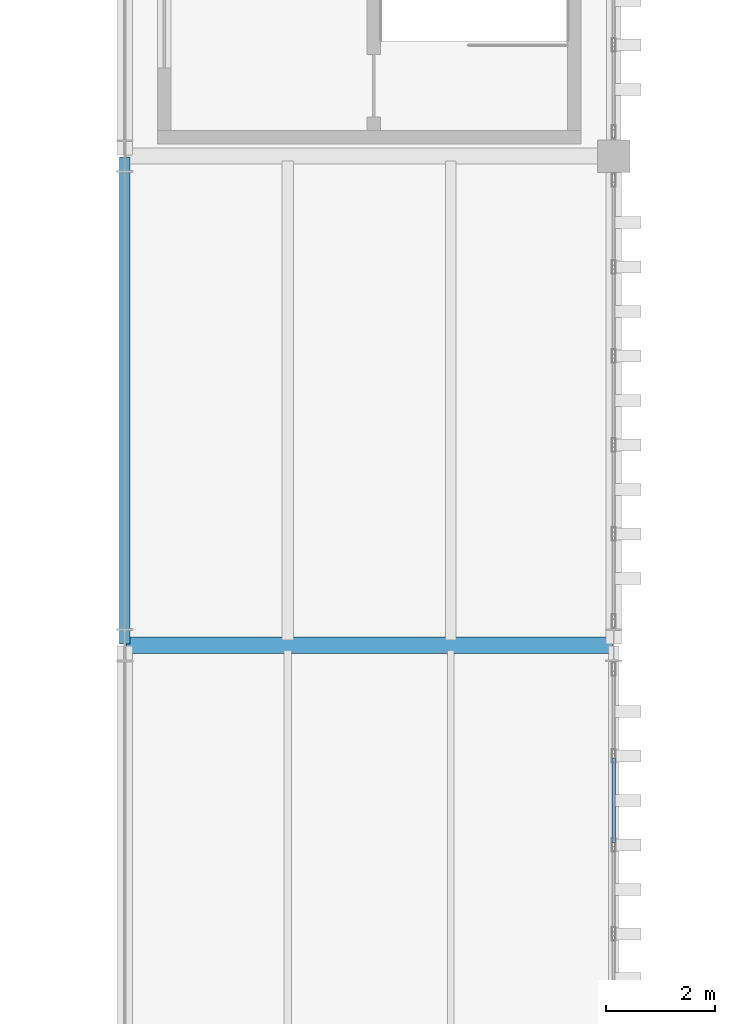
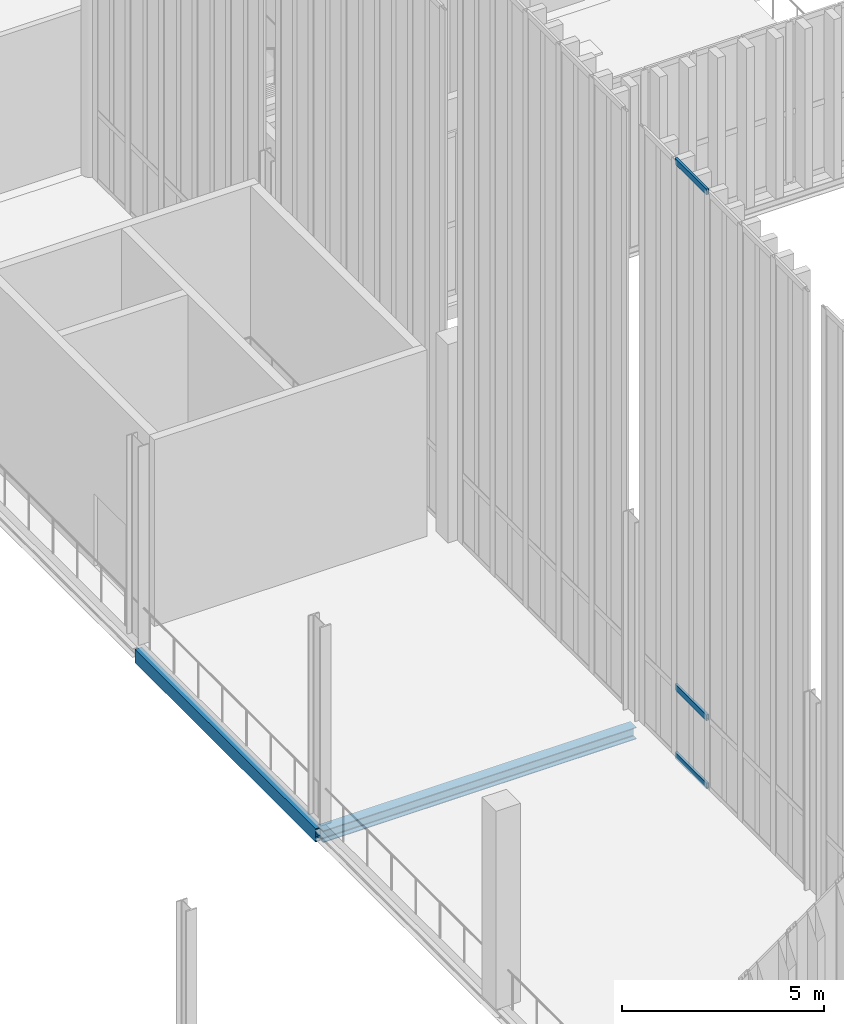
# One storey, part 54 of 237: 3 members, 2 beams, 1 element without a shape of its own.
"""IFC4 building model written with IfcOpenShell, lengths in metres."""

from ifc_helpers import new_model, si_unit, direction, frame, origin, origin_2d, place, context, subcontext, project, spatial, hollow_rectangle, i_section, extrude, material, layer, layer_set, material_profile, profile_set, type_object, element, aggregate, save


model = new_model("IFC4")

# Units and contexts
model_context = context("Model", 3, precision=1e-05, world=origin(), true_north=direction((0.0, 1.0)))
body_context = subcontext(model_context, "Body", "Model", "MODEL_VIEW")
ifc_project = project(units=[si_unit("LENGTHUNIT", "METRE"), si_unit("AREAUNIT", "SQUARE_METRE"), si_unit("VOLUMEUNIT", "CUBIC_METRE"), si_unit("PLANEANGLEUNIT", "RADIAN"), si_unit("MASSUNIT", "GRAM", prefix="KILO")], contexts=[model_context])

# Site, building, storey
site_placement = place(None, origin())
site = spatial("IfcSite", under=ifc_project, at=site_placement, CompositionType="ELEMENT")
building_placement = place(site_placement, origin())
building = spatial("IfcBuilding", under=site, at=building_placement, Name="Barlavento Convention Centre", CompositionType="ELEMENT")
storey_placement = place(building_placement, frame((0.0, 0.0, 12.0)))
storey = spatial("IfcBuildingStorey", under=building, at=storey_placement, Name="L02", CompositionType="ELEMENT", Elevation=12.0)

# Curtain wall, members
ifc_material_1 = material(Name="Powder-coated aluminium and Low-E glass", Category="aluminium")
ifc_layer = layer(ifc_material_1, 0.18994140625)
ifc_layer_set = layer_set([ifc_layer], Name="ARC-CW-CONG-L02")
curtain_wall_type = type_object("IfcCurtainWallType", Name="ARC-CW-CONG-L02", PredefinedType="NOTDEFINED", material=ifc_layer_set)
curtain_wall_placement = place(storey_placement, origin())
curtain_wall = element("IfcCurtainWall", 1, at=curtain_wall_placement, inside=storey, type_object=curtain_wall_type, Name="L02 unitised curtain wall CW02", PredefinedType="NOTDEFINED")
ifc_material_2 = material(Name="Powder-coated aluminium", Category="aluminium")
ifc_material_profile_1 = material_profile(ifc_material_2, hollow_rectangle(XDim=0.070068359375, YDim=0.179931640625, WallThickness=0.0048828125, at=origin_2d()), Name="AL-TRAN 70x180x5")
ifc_profile_set_1 = profile_set([ifc_material_profile_1], Name="Powder-coated aluminium")
member_type = type_object("IfcMemberType", Name="ARC-CWT-70X180", PredefinedType="USERDEFINED", material=ifc_profile_set_1)
member_1_placement = place(storey_placement, frame((63.0, 23.360595703125, 0.034912109375), z_axis=(0.0, 1.0, 0.0), x_axis=(-1.0, 0.0, 0.0)))
member_1 = element("IfcMember", 2, at=member_1_placement, type_object=member_type, Name="CW02 transom 4.1", ObjectType="TRANSOM", PredefinedType="USERDEFINED", context=body_context, shape_type="SweptSolid", body=[
    extrude(hollow_rectangle(XDim=0.070068359375, YDim=0.179931640625, WallThickness=0.0048828125, at=origin_2d()), origin(), (0.0, 0.0, 1.0), 1.560791015625),
])
member_2_placement = place(storey_placement, frame((63.0, 23.360595703125, 2.10009765625), z_axis=(0.0, 1.0, 0.0), x_axis=(-1.0, 0.0, 0.0)))
member_2 = element("IfcMember", 3, at=member_2_placement, type_object=member_type, Name="CW02 transom 4.2", ObjectType="TRANSOM", PredefinedType="USERDEFINED", context=body_context, shape_type="SweptSolid", body=[
    extrude(hollow_rectangle(XDim=0.070068359375, YDim=0.179931640625, WallThickness=0.0048828125, at=origin_2d()), origin(), (0.0, 0.0, 1.0), 1.560791015625),
])
member_3_placement = place(storey_placement, frame((63.0, 23.360595703125, 18.001953125), z_axis=(0.0, 1.0, 0.0), x_axis=(-1.0, 0.0, 0.0)))
member_3 = element("IfcMember", 4, at=member_3_placement, type_object=member_type, Name="CW02 transom 4.3", ObjectType="TRANSOM", PredefinedType="USERDEFINED", context=body_context, shape_type="SweptSolid", body=[
    extrude(hollow_rectangle(XDim=0.070068359375, YDim=0.179931640625, WallThickness=0.0048828125, at=origin_2d()), origin(), (0.0, 0.0, 1.0), 1.560791015625),
])
aggregate(curtain_wall, [member_1, member_2, member_3])

# Beams
ifc_material_3 = material(Name="Steel S355", Category="steel")
ifc_material_profile_2 = material_profile(ifc_material_3, i_section(OverallWidth=0.300048828125, OverallDepth=0.360107421875, WebThickness=0.012451171875, FlangeThickness=0.0224609375, FilletRadius=0.027099609375, at=origin_2d()), Name="HEB 360")
ifc_profile_set_2 = profile_set([ifc_material_profile_2], Name="Steel S355")
beam_type_1 = type_object("IfcBeamType", Name="STR-BM-PRI-HEB360", PredefinedType="BEAM", material=ifc_profile_set_2)
beam_1_placement = place(storey_placement, frame((54.02001953125, 27.0, -0.47998046875), z_axis=(1.0, 0.0, 0.0), x_axis=(0.0, 1.0, 0.0)))
element("IfcBeam", 5, at=beam_1_placement, inside=storey, type_object=beam_type_1, Name="L02 primary girder BG12", PredefinedType="BEAM", context=body_context, shape_type="SweptSolid", body=[
    extrude(i_section(OverallWidth=0.300048828125, OverallDepth=0.360107421875, WebThickness=0.012451171875, FlangeThickness=0.0224609375, FilletRadius=0.027099609375, at=origin_2d()), origin(), (0.0, 0.0, 1.0), 8.9599609375),
])
ifc_material_profile_3 = material_profile(ifc_material_3, hollow_rectangle(XDim=0.199951171875, YDim=0.39990234375, WallThickness=0.01611328125, at=origin_2d()), Name="RHS 400x200x16.0")
ifc_profile_set_3 = profile_set([ifc_material_profile_3], Name="Steel S355")
beam_type_2 = type_object("IfcBeamType", Name="STR-BM-SPN-RHS400", PredefinedType="SPANDREL", material=ifc_profile_set_3)
beam_2_placement = place(storey_placement, frame((54.0, 27.02001953125, -0.5), z_axis=(0.0, 1.0, 0.0), x_axis=(-1.0, 0.0, 0.0)))
element("IfcBeam", 6, at=beam_2_placement, inside=storey, type_object=beam_type_2, Name="L02 grid girder SP06", PredefinedType="SPANDREL", context=body_context, shape_type="SweptSolid", body=[
    extrude(hollow_rectangle(XDim=0.199951171875, YDim=0.39990234375, WallThickness=0.01611328125, at=origin_2d()), origin(), (0.0, 0.0, 1.0), 8.9599609375),
])

save(model, "model.ifc")
